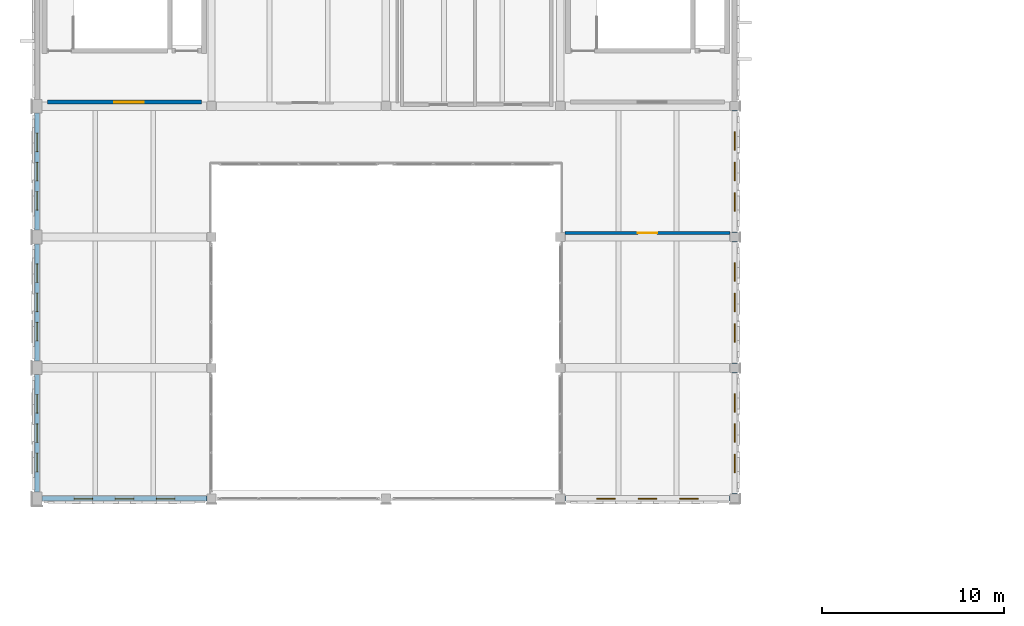
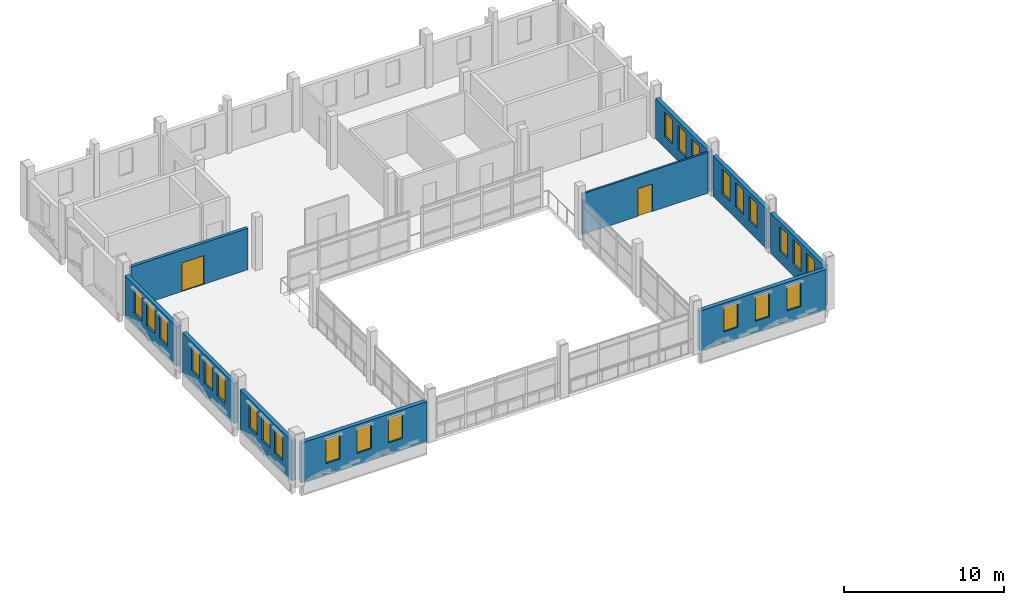
# One storey, part 16 of 24: 24 windows, 10 walls, 2 doors, 26 openings.
"""IFC4 building model written with IfcOpenShell, lengths in metres."""

import ifcopenshell
import ifcopenshell.guid

model = None  # the IFC model being written
_history = None  # IfcOwnerHistory: only IFC2X3 demands one
_inside = {}  # id of a spatial element -> (the spatial element, [elements in it])
_under = {}  # id of a project, library or spatial element -> (it, [spatial elements below it])
_declared = {}  # id of a project -> (the project, [libraries it declares])
_typed = {}  # id of a type object -> (the type object, [elements of that type])
_made_of = {}  # id of a material, layer set ... -> (it, [elements and type objects made of it])


def new_model(schema):
    """Start an empty IFC model of exactly this schema.

    Asked for "IFC4X3", IfcOpenShell would pick the latest addendum, in which some entities
    have other attributes; the version numbers below select the first issue.
    IFC2X3 requires an IfcOwnerHistory on every rooted entity: one is made here for all.
    """
    global model, _history
    if schema == "IFC4X3":
        model = ifcopenshell.file(schema_version=(4, 3, 0, 0))
    else:
        model = ifcopenshell.file(schema=schema)
    _inside.clear()
    _under.clear()
    _declared.clear()
    _typed.clear()
    _made_of.clear()
    _history = None
    if model.schema == "IFC2X3":
        org = make("IfcOrganization", Name="unknown")
        user = make(
            "IfcPersonAndOrganization",
            ThePerson=make("IfcPerson", FamilyName="unknown"),
            TheOrganization=org,
        )
        app = make(
            "IfcApplication",
            ApplicationDeveloper=org,
            Version="unknown",
            ApplicationFullName="unknown",
            ApplicationIdentifier="unknown",
        )
        _history = make(
            "IfcOwnerHistory",
            OwningUser=user,
            OwningApplication=app,
            ChangeAction="ADDED",
            CreationDate=0,
        )
    return model


def make(cls, **values):
    """One entity of the class cls with the attributes given. An attribute that is None is left unset."""
    return model.create_entity(
        cls, **{name: value for name, value in values.items() if value is not None}
    )


def rooted(cls, **values):
    """An entity with a GlobalId (a new one), such as an element, a storey or a relation."""
    return make(cls, GlobalId=ifcopenshell.guid.new(), OwnerHistory=_history, **values)


def si_unit(unit_type, name, prefix=None):
    """IfcSIUnit, for example si_unit("LENGTHUNIT", "METRE", prefix="MILLI")."""
    return make("IfcSIUnit", UnitType=unit_type, Prefix=prefix, Name=name)


def assignment(units):
    """IfcUnitAssignment: the units of a project."""
    return None if units is None else make("IfcUnitAssignment", Units=units)


def point(xyz):
    """IfcCartesianPoint."""
    return None if xyz is None else make("IfcCartesianPoint", Coordinates=xyz)


def direction(xyz):
    """IfcDirection."""
    return None if xyz is None else make("IfcDirection", DirectionRatios=xyz)


def frame(location, z_axis=None, x_axis=None):
    """IfcAxis2Placement3D, a coordinate frame: its origin and axes. An axis left out is left unset."""
    return make(
        "IfcAxis2Placement3D",
        Location=point(location),
        Axis=direction(z_axis),
        RefDirection=direction(x_axis),
    )


def frame_2d(location, x_axis=None):
    """IfcAxis2Placement2D, a coordinate frame in the plane: its origin and x axis."""
    return make(
        "IfcAxis2Placement2D", Location=point(location), RefDirection=direction(x_axis)
    )


def origin():
    """The frame at (0, 0, 0) with its axes left unset."""
    return frame((0.0, 0.0, 0.0))


def place(relative_to, where):
    """IfcLocalPlacement: puts the frame where relative to a parent placement (None: the world)."""
    return make(
        "IfcLocalPlacement", PlacementRelTo=relative_to, RelativePlacement=where
    )


def context(
    kind, dimensions, precision=None, world=None, true_north=None, identifier=None
):
    """IfcGeometricRepresentationContext, for example the 3D "Model" context."""
    return make(
        "IfcGeometricRepresentationContext",
        ContextIdentifier=identifier,
        ContextType=kind,
        CoordinateSpaceDimension=dimensions,
        Precision=precision,
        WorldCoordinateSystem=world,
        TrueNorth=true_north,
    )


def subcontext(parent, identifier, kind, view, scale=None):
    """IfcGeometricRepresentationSubContext, for example "Body" below "Model"."""
    return make(
        "IfcGeometricRepresentationSubContext",
        ContextIdentifier=identifier,
        ContextType=kind,
        ParentContext=parent,
        TargetScale=scale,
        TargetView=view,
    )


def project(units=None, contexts=None):
    """IfcProject with its units and contexts."""
    return rooted(
        "IfcProject",
        Name="project",
        RepresentationContexts=contexts,
        UnitsInContext=assignment(units),
    )


def spatial(cls, under=None, at=None, **own):
    """A site, building, storey or space (cls), placed at a placement, below another one or the project."""
    s = rooted(cls, ObjectPlacement=at, **own)
    if under is not None:
        _under.setdefault(under.id(), (under, []))[1].append(s)
    return s


def profile(cls, at=None, kind="AREA", **sizes):
    """A parametric profile (cls). Its sizes go by their IFC names, for example OverallWidth=200.0."""
    return make(cls, ProfileType=kind, Position=at, **sizes)


def rectangle(**sizes):
    """IfcRectangleProfileDef."""
    return profile("IfcRectangleProfileDef", **sizes)


def extrude(swept, where, along, depth):
    """IfcExtrudedAreaSolid: the profile swept, set in the frame where, extruded along a direction by depth."""
    return make(
        "IfcExtrudedAreaSolid",
        SweptArea=swept,
        Position=where,
        ExtrudedDirection=direction(along),
        Depth=depth,
    )


def shape(context_of_items, identifier, shape_type, items):
    """IfcShapeRepresentation: the items that make up one representation, for example the "Body"."""
    return make(
        "IfcShapeRepresentation",
        ContextOfItems=context_of_items,
        RepresentationIdentifier=identifier,
        RepresentationType=shape_type,
        Items=items,
    )


def material(Name=None, Category=None):
    """IfcMaterial."""
    return make("IfcMaterial", Name=Name, Category=Category)


def layer(
    of_material, thickness, ventilated=None, Name=None, Category=None, Priority=None
):
    """IfcMaterialLayer: one layer of a wall or slab, of a material (None: an air gap)."""
    return make(
        "IfcMaterialLayer",
        Material=of_material,
        LayerThickness=thickness,
        IsVentilated=ventilated,
        Name=Name,
        Category=Category,
        Priority=Priority,
    )


def layer_set(layers, Name=None):
    """IfcMaterialLayerSet."""
    return make("IfcMaterialLayerSet", MaterialLayers=layers, LayerSetName=Name)


def made_of(thing, what):
    """Note that an element or type object is made of a material, layer set ...; save() writes the relation."""
    if what is not None:
        _made_of.setdefault(what.id(), (what, []))[1].append(thing)
    return thing


def type_object(cls, material=None, **own):
    """A type object (cls), such as IfcWallType, which elements share."""
    return made_of(rooted(cls, **own), material)


def element(
    cls,
    number,
    at=None,
    inside=None,
    cuts=None,
    type_object=None,
    material=None,
    context=None,
    identifier="Body",
    shape_type=None,
    held_by="IfcProductDefinitionShape",
    body=None,
    shapes=None,
    **own,
):
    """One element of the class cls, such as IfcWall. Its Tag is "e" and its number.

    at: its placement. inside: the storey or other place that contains it. cuts: it is an
    opening in that element (IfcRelVoidsElement). A single representation is given by context,
    identifier, shape_type and body (its items); several are given by shapes. held_by: the class
    of the entity that holds the representations. save() writes the other relations.
    """
    e = rooted(cls, Tag="e%d" % number, ObjectPlacement=at, **own)
    if body is not None:
        shapes = [shape(context, identifier, shape_type, body)]
    if shapes is not None:
        e.Representation = make(held_by, Representations=shapes)
    if inside is not None:
        _inside.setdefault(inside.id(), (inside, []))[1].append(e)
    if cuts is not None:
        rooted(
            "IfcRelVoidsElement", RelatingBuildingElement=cuts, RelatedOpeningElement=e
        )
    if type_object is not None:
        _typed.setdefault(type_object.id(), (type_object, []))[1].append(e)
    return made_of(e, material)


def fill(opening, filler):
    """IfcRelFillsElement: the door or window that sits in an opening."""
    return rooted(
        "IfcRelFillsElement",
        RelatingOpeningElement=opening,
        RelatedBuildingElement=filler,
    )


def aggregate(whole, parts):
    """IfcRelAggregates: a whole, such as a stair, and the parts it consists of."""
    return rooted("IfcRelAggregates", RelatingObject=whole, RelatedObjects=parts)


def save(model, path):
    """Write the relations noted so far, then the file.

    IfcRelAggregates (storeys below a building ...), IfcRelContainedInSpatialStructure (elements
    in a storey), IfcRelDefinesByType, IfcRelAssociatesMaterial and IfcRelDeclares: one each for
    every whole, place, type object, material and project.
    """
    for whole, parts in _under.values():
        aggregate(whole, parts)
    for where, things in _inside.values():
        rooted(
            "IfcRelContainedInSpatialStructure",
            RelatedElements=things,
            RelatingStructure=where,
        )
    for kind, things in _typed.values():
        rooted("IfcRelDefinesByType", RelatedObjects=things, RelatingType=kind)
    for what, things in _made_of.values():
        rooted("IfcRelAssociatesMaterial", RelatedObjects=things, RelatingMaterial=what)
    for by, libraries in _declared.values():
        rooted("IfcRelDeclares", RelatingContext=by, RelatedDefinitions=libraries)
    model.write(path)


model = new_model("IFC4")

# Units and contexts
model_context = context("Model", 3, precision=1e-05, world=origin(), true_north=direction((0.0, 1.0)))
body_context = subcontext(model_context, "Body", "Model", "MODEL_VIEW")
ifc_project = project(units=[si_unit("LENGTHUNIT", "METRE"), si_unit("AREAUNIT", "SQUARE_METRE"), si_unit("VOLUMEUNIT", "CUBIC_METRE"), si_unit("PLANEANGLEUNIT", "RADIAN"), si_unit("MASSUNIT", "GRAM", prefix="KILO")], contexts=[model_context])

# Site, building, storey
site_placement = place(None, origin())
site = spatial("IfcSite", under=ifc_project, at=site_placement, CompositionType="ELEMENT")
building_placement = place(site_placement, origin())
building = spatial("IfcBuilding", under=site, at=building_placement, Name="Asteropetra Specialist Clinic", CompositionType="ELEMENT")
storey_placement = place(building_placement, frame((0.0, 0.0, 20.739990234375)))
storey = spatial("IfcBuildingStorey", under=building, at=storey_placement, Name="L05", CompositionType="ELEMENT", Elevation=20.739990234375)

# Wall, openings, windows
ifc_material_1 = material(Name="Chevron ivory", Category="masonry")
ifc_layer_1 = layer(ifc_material_1, 0.2900390625)
ifc_layer_set_1 = layer_set([ifc_layer_1], Name="Chevron ivory")
wall_type_1 = type_object("IfcWallType", Name="EW-CHEV-TER-290", PredefinedType="SOLIDWALL", material=ifc_layer_set_1)
wall_1_placement = place(storey_placement, frame((0.27490234375, 76.800048828125, 0.0), z_axis=(0.0, 0.0, 1.0), x_axis=(1.0, 0.0, 0.0)))
wall_1 = element("IfcWall", 1, at=wall_1_placement, inside=storey, type_object=wall_type_1, Name="Exterior Wall EW-0143", PredefinedType="SOLIDWALL", context=body_context, shape_type="SweptSolid", body=[
    extrude(rectangle(XDim=9.0751953125, YDim=0.2900390625, at=frame_2d((4.53759765625, 0.0))), origin(), (0.0, 0.0, 1.0), 3.070068359375),
])
opening_1_placement = place(wall_1_placement, frame((1.7587890625, 0.0, 0.8798828125)))
opening_1 = element("IfcOpeningElement", 2, at=opening_1_placement, cuts=wall_1, Name="Opening W-0087", PredefinedType="OPENING", context=body_context, shape_type="SweptSolid", body=[
    extrude(rectangle(XDim=1.02001953125, YDim=1.8798828125, at=frame_2d((0.510009765625, 0.93994140625))), frame((0.0, 0.155029296875, 0.0), z_axis=(0.0, -1.0, 0.0), x_axis=(1.0, 0.0, 0.0)), (0.0, 0.0, 1.0), 0.31005859375),
])
opening_2_placement = place(wall_1_placement, frame((4.027587890625, 0.0, 0.8798828125)))
opening_2 = element("IfcOpeningElement", 3, at=opening_2_placement, cuts=wall_1, Name="Opening W-0088", PredefinedType="OPENING", context=body_context, shape_type="SweptSolid", body=[
    extrude(rectangle(XDim=1.02001953125, YDim=1.8798828125, at=frame_2d((0.510009765625, 0.93994140625))), frame((0.0, 0.155029296875, 0.0), z_axis=(0.0, -1.0, 0.0), x_axis=(1.0, 0.0, 0.0)), (0.0, 0.0, 1.0), 0.31005859375),
])
opening_3_placement = place(wall_1_placement, frame((6.296142578125, 0.0, 0.8798828125)))
opening_3 = element("IfcOpeningElement", 4, at=opening_3_placement, cuts=wall_1, Name="Opening W-0089", PredefinedType="OPENING", context=body_context, shape_type="SweptSolid", body=[
    extrude(rectangle(XDim=1.02001953125, YDim=1.8798828125, at=frame_2d((0.510009765625, 0.93994140625))), frame((0.0, 0.155029296875, 0.0), z_axis=(0.0, -1.0, 0.0), x_axis=(1.0, 0.0, 0.0)), (0.0, 0.0, 1.0), 0.31005859375),
])
ifc_material_2 = material(Name="Thermally broken bronze aluminium and low-E glass", Category="aluminium")
window_type = type_object("IfcWindowType", Name="WIN-T31", PartitioningType="SINGLE_PANEL", PredefinedType="WINDOW", material=ifc_material_2)
window_1_placement = place(opening_1_placement, origin())
window_1 = element("IfcWindow", 5, at=window_1_placement, inside=storey, type_object=window_type, Name="Window W-0087", OverallHeight=1.8798828125, OverallWidth=1.02001953125, PartitioningType="SINGLE_PANEL", PredefinedType="WINDOW", context=body_context, shape_type="SweptSolid", body=[
    extrude(rectangle(XDim=1.02001953125, YDim=1.8798828125, at=frame_2d((0.510009765625, 0.93994140625))), frame((0.0, 0.030029296875, 0.0), z_axis=(0.0, -1.0, 0.0), x_axis=(1.0, 0.0, 0.0)), (0.0, 0.0, 1.0), 0.06005859375),
])
fill(opening_1, window_1)
window_2_placement = place(opening_2_placement, origin())
window_2 = element("IfcWindow", 6, at=window_2_placement, inside=storey, type_object=window_type, Name="Window W-0088", OverallHeight=1.8798828125, OverallWidth=1.02001953125, PartitioningType="SINGLE_PANEL", PredefinedType="WINDOW", context=body_context, shape_type="SweptSolid", body=[
    extrude(rectangle(XDim=1.02001953125, YDim=1.8798828125, at=frame_2d((0.510009765625, 0.93994140625))), frame((0.0, 0.030029296875, 0.0), z_axis=(0.0, -1.0, 0.0), x_axis=(1.0, 0.0, 0.0)), (0.0, 0.0, 1.0), 0.06005859375),
])
fill(opening_2, window_2)
window_3_placement = place(opening_3_placement, origin())
window_3 = element("IfcWindow", 7, at=window_3_placement, inside=storey, type_object=window_type, Name="Window W-0089", OverallHeight=1.8798828125, OverallWidth=1.02001953125, PartitioningType="SINGLE_PANEL", PredefinedType="WINDOW", context=body_context, shape_type="SweptSolid", body=[
    extrude(rectangle(XDim=1.02001953125, YDim=1.8798828125, at=frame_2d((0.510009765625, 0.93994140625))), frame((0.0, 0.030029296875, 0.0), z_axis=(0.0, -1.0, 0.0), x_axis=(1.0, 0.0, 0.0)), (0.0, 0.0, 1.0), 0.06005859375),
])
fill(opening_3, window_3)

wall_2_placement = place(storey_placement, frame((29.050048828125, 76.800048828125, 0.0), z_axis=(0.0, 0.0, 1.0), x_axis=(1.0, 0.0, 0.0)))
wall_2 = element("IfcWall", 8, at=wall_2_placement, inside=storey, type_object=wall_type_1, Name="Exterior Wall EW-0147", PredefinedType="SOLIDWALL", context=body_context, shape_type="SweptSolid", body=[
    extrude(rectangle(XDim=9.099853515625, YDim=0.2900390625, at=frame_2d((4.5498046875, 0.0))), origin(), (0.0, 0.0, 1.0), 3.070068359375),
])
opening_4_placement = place(wall_2_placement, frame((1.764892578125, 0.0, 0.8798828125)))
opening_4 = element("IfcOpeningElement", 9, at=opening_4_placement, cuts=wall_2, Name="Opening W-0097", PredefinedType="OPENING", context=body_context, shape_type="SweptSolid", body=[
    extrude(rectangle(XDim=1.02001953125, YDim=1.8798828125, at=frame_2d((0.510009765625, 0.93994140625))), frame((0.0, 0.155029296875, 0.0), z_axis=(0.0, -1.0, 0.0), x_axis=(1.0, 0.0, 0.0)), (0.0, 0.0, 1.0), 0.31005859375),
])
opening_5_placement = place(wall_2_placement, frame((4.0400390625, 0.0, 0.8798828125)))
opening_5 = element("IfcOpeningElement", 10, at=opening_5_placement, cuts=wall_2, Name="Opening W-0098", PredefinedType="OPENING", context=body_context, shape_type="SweptSolid", body=[
    extrude(rectangle(XDim=1.02001953125, YDim=1.8798828125, at=frame_2d((0.510009765625, 0.93994140625))), frame((0.0, 0.155029296875, 0.0), z_axis=(0.0, -1.0, 0.0), x_axis=(1.0, 0.0, 0.0)), (0.0, 0.0, 1.0), 0.31005859375),
])
opening_6_placement = place(wall_2_placement, frame((6.31494140625, 0.0, 0.8798828125)))
opening_6 = element("IfcOpeningElement", 11, at=opening_6_placement, cuts=wall_2, Name="Opening W-0099", PredefinedType="OPENING", context=body_context, shape_type="SweptSolid", body=[
    extrude(rectangle(XDim=1.02001953125, YDim=1.8798828125, at=frame_2d((0.510009765625, 0.93994140625))), frame((0.0, 0.155029296875, 0.0), z_axis=(0.0, -1.0, 0.0), x_axis=(1.0, 0.0, 0.0)), (0.0, 0.0, 1.0), 0.31005859375),
])
window_4_placement = place(opening_4_placement, origin())
window_4 = element("IfcWindow", 12, at=window_4_placement, inside=storey, type_object=window_type, Name="Window W-0097", OverallHeight=1.8798828125, OverallWidth=1.02001953125, PartitioningType="SINGLE_PANEL", PredefinedType="WINDOW", context=body_context, shape_type="SweptSolid", body=[
    extrude(rectangle(XDim=1.02001953125, YDim=1.8798828125, at=frame_2d((0.510009765625, 0.93994140625))), frame((0.0, 0.030029296875, 0.0), z_axis=(0.0, -1.0, 0.0), x_axis=(1.0, 0.0, 0.0)), (0.0, 0.0, 1.0), 0.06005859375),
])
fill(opening_4, window_4)
window_5_placement = place(opening_5_placement, origin())
window_5 = element("IfcWindow", 13, at=window_5_placement, inside=storey, type_object=window_type, Name="Window W-0098", OverallHeight=1.8798828125, OverallWidth=1.02001953125, PartitioningType="SINGLE_PANEL", PredefinedType="WINDOW", context=body_context, shape_type="SweptSolid", body=[
    extrude(rectangle(XDim=1.02001953125, YDim=1.8798828125, at=frame_2d((0.510009765625, 0.93994140625))), frame((0.0, 0.030029296875, 0.0), z_axis=(0.0, -1.0, 0.0), x_axis=(1.0, 0.0, 0.0)), (0.0, 0.0, 1.0), 0.06005859375),
])
fill(opening_5, window_5)
window_6_placement = place(opening_6_placement, origin())
window_6 = element("IfcWindow", 14, at=window_6_placement, inside=storey, type_object=window_type, Name="Window W-0099", OverallHeight=1.8798828125, OverallWidth=1.02001953125, PartitioningType="SINGLE_PANEL", PredefinedType="WINDOW", context=body_context, shape_type="SweptSolid", body=[
    extrude(rectangle(XDim=1.02001953125, YDim=1.8798828125, at=frame_2d((0.510009765625, 0.93994140625))), frame((0.0, 0.030029296875, 0.0), z_axis=(0.0, -1.0, 0.0), x_axis=(1.0, 0.0, 0.0)), (0.0, 0.0, 1.0), 0.06005859375),
])
fill(opening_6, window_6)

wall_3_placement = place(storey_placement, frame((0.0, 83.625, 0.0), z_axis=(0.0, 0.0, 1.0), x_axis=(0.0, -1.0, 0.0)))
wall_3 = element("IfcWall", 15, at=wall_3_placement, inside=storey, type_object=wall_type_1, Name="Exterior Wall EW-0149", PredefinedType="SOLIDWALL", context=body_context, shape_type="SweptSolid", body=[
    extrude(rectangle(XDim=6.449951171875, YDim=0.2900390625, at=frame_2d((3.22509765625, 0.0))), origin(), (0.0, 0.0, 1.0), 3.070068359375),
])
opening_7_placement = place(wall_3_placement, frame((1.1025390625, 0.0, 0.8798828125)))
opening_7 = element("IfcOpeningElement", 16, at=opening_7_placement, cuts=wall_3, Name="Opening W-0102", PredefinedType="OPENING", context=body_context, shape_type="SweptSolid", body=[
    extrude(rectangle(XDim=1.02001953125, YDim=1.8798828125, at=frame_2d((0.510009765625, 0.93994140625))), frame((0.0, 0.155029296875, 0.0), z_axis=(0.0, -1.0, 0.0), x_axis=(1.0, 0.0, 0.0)), (0.0, 0.0, 1.0), 0.31005859375),
])
opening_8_placement = place(wall_3_placement, frame((2.715087890625, 0.0, 0.8798828125)))
opening_8 = element("IfcOpeningElement", 17, at=opening_8_placement, cuts=wall_3, Name="Opening W-0103", PredefinedType="OPENING", context=body_context, shape_type="SweptSolid", body=[
    extrude(rectangle(XDim=1.02001953125, YDim=1.8798828125, at=frame_2d((0.510009765625, 0.93994140625))), frame((0.0, 0.155029296875, 0.0), z_axis=(0.0, -1.0, 0.0), x_axis=(1.0, 0.0, 0.0)), (0.0, 0.0, 1.0), 0.31005859375),
])
opening_9_placement = place(wall_3_placement, frame((4.327392578125, 0.0, 0.8798828125)))
opening_9 = element("IfcOpeningElement", 18, at=opening_9_placement, cuts=wall_3, Name="Opening W-0104", PredefinedType="OPENING", context=body_context, shape_type="SweptSolid", body=[
    extrude(rectangle(XDim=1.02001953125, YDim=1.8798828125, at=frame_2d((0.510009765625, 0.93994140625))), frame((0.0, 0.155029296875, 0.0), z_axis=(0.0, -1.0, 0.0), x_axis=(1.0, 0.0, 0.0)), (0.0, 0.0, 1.0), 0.31005859375),
])
window_7_placement = place(opening_7_placement, origin())
window_7 = element("IfcWindow", 19, at=window_7_placement, inside=storey, type_object=window_type, Name="Window W-0102", OverallHeight=1.8798828125, OverallWidth=1.02001953125, PartitioningType="SINGLE_PANEL", PredefinedType="WINDOW", context=body_context, shape_type="SweptSolid", body=[
    extrude(rectangle(XDim=1.02001953125, YDim=1.8798828125, at=frame_2d((0.510009765625, 0.93994140625))), frame((0.0, 0.030029296875, 0.0), z_axis=(0.0, -1.0, 0.0), x_axis=(1.0, 0.0, 0.0)), (0.0, 0.0, 1.0), 0.06005859375),
])
fill(opening_7, window_7)
window_8_placement = place(opening_8_placement, origin())
window_8 = element("IfcWindow", 20, at=window_8_placement, inside=storey, type_object=window_type, Name="Window W-0103", OverallHeight=1.8798828125, OverallWidth=1.02001953125, PartitioningType="SINGLE_PANEL", PredefinedType="WINDOW", context=body_context, shape_type="SweptSolid", body=[
    extrude(rectangle(XDim=1.02001953125, YDim=1.8798828125, at=frame_2d((0.510009765625, 0.93994140625))), frame((0.0, 0.030029296875, 0.0), z_axis=(0.0, -1.0, 0.0), x_axis=(1.0, 0.0, 0.0)), (0.0, 0.0, 1.0), 0.06005859375),
])
fill(opening_8, window_8)
window_9_placement = place(opening_9_placement, origin())
window_9 = element("IfcWindow", 21, at=window_9_placement, inside=storey, type_object=window_type, Name="Window W-0104", OverallHeight=1.8798828125, OverallWidth=1.02001953125, PartitioningType="SINGLE_PANEL", PredefinedType="WINDOW", context=body_context, shape_type="SweptSolid", body=[
    extrude(rectangle(XDim=1.02001953125, YDim=1.8798828125, at=frame_2d((0.510009765625, 0.93994140625))), frame((0.0, 0.030029296875, 0.0), z_axis=(0.0, -1.0, 0.0), x_axis=(1.0, 0.0, 0.0)), (0.0, 0.0, 1.0), 0.06005859375),
])
fill(opening_9, window_9)

wall_4_placement = place(storey_placement, frame((38.39990234375, 77.050048828125, 0.0), z_axis=(0.0, 0.0, 1.0), x_axis=(0.0, 1.0, 0.0)))
wall_4 = element("IfcWall", 22, at=wall_4_placement, inside=storey, type_object=wall_type_1, Name="Exterior Wall EW-0150", PredefinedType="SOLIDWALL", context=body_context, shape_type="SweptSolid", body=[
    extrude(rectangle(XDim=6.699951171875, YDim=0.2900390625, at=frame_2d((3.35009765625, 0.0))), origin(), (0.0, 0.0, 1.0), 3.070068359375),
])
opening_10_placement = place(wall_4_placement, frame((1.1650390625, 0.0, 0.8798828125)))
opening_10 = element("IfcOpeningElement", 23, at=opening_10_placement, cuts=wall_4, Name="Opening W-0105", PredefinedType="OPENING", context=body_context, shape_type="SweptSolid", body=[
    extrude(rectangle(XDim=1.02001953125, YDim=1.8798828125, at=frame_2d((0.510009765625, 0.93994140625))), frame((0.0, 0.155029296875, 0.0), z_axis=(0.0, -1.0, 0.0), x_axis=(1.0, 0.0, 0.0)), (0.0, 0.0, 1.0), 0.31005859375),
])
opening_11_placement = place(wall_4_placement, frame((2.840087890625, 0.0, 0.8798828125)))
opening_11 = element("IfcOpeningElement", 24, at=opening_11_placement, cuts=wall_4, Name="Opening W-0106", PredefinedType="OPENING", context=body_context, shape_type="SweptSolid", body=[
    extrude(rectangle(XDim=1.02001953125, YDim=1.8798828125, at=frame_2d((0.510009765625, 0.93994140625))), frame((0.0, 0.155029296875, 0.0), z_axis=(0.0, -1.0, 0.0), x_axis=(1.0, 0.0, 0.0)), (0.0, 0.0, 1.0), 0.31005859375),
])
opening_12_placement = place(wall_4_placement, frame((4.514892578125, 0.0, 0.8798828125)))
opening_12 = element("IfcOpeningElement", 25, at=opening_12_placement, cuts=wall_4, Name="Opening W-0107", PredefinedType="OPENING", context=body_context, shape_type="SweptSolid", body=[
    extrude(rectangle(XDim=1.02001953125, YDim=1.8798828125, at=frame_2d((0.510009765625, 0.93994140625))), frame((0.0, 0.155029296875, 0.0), z_axis=(0.0, -1.0, 0.0), x_axis=(1.0, 0.0, 0.0)), (0.0, 0.0, 1.0), 0.31005859375),
])
window_10_placement = place(opening_10_placement, origin())
window_10 = element("IfcWindow", 26, at=window_10_placement, inside=storey, type_object=window_type, Name="Window W-0105", OverallHeight=1.8798828125, OverallWidth=1.02001953125, PartitioningType="SINGLE_PANEL", PredefinedType="WINDOW", context=body_context, shape_type="SweptSolid", body=[
    extrude(rectangle(XDim=1.02001953125, YDim=1.8798828125, at=frame_2d((0.510009765625, 0.93994140625))), frame((0.0, 0.030029296875, 0.0), z_axis=(0.0, -1.0, 0.0), x_axis=(1.0, 0.0, 0.0)), (0.0, 0.0, 1.0), 0.06005859375),
])
fill(opening_10, window_10)
window_11_placement = place(opening_11_placement, origin())
window_11 = element("IfcWindow", 27, at=window_11_placement, inside=storey, type_object=window_type, Name="Window W-0106", OverallHeight=1.8798828125, OverallWidth=1.02001953125, PartitioningType="SINGLE_PANEL", PredefinedType="WINDOW", context=body_context, shape_type="SweptSolid", body=[
    extrude(rectangle(XDim=1.02001953125, YDim=1.8798828125, at=frame_2d((0.510009765625, 0.93994140625))), frame((0.0, 0.030029296875, 0.0), z_axis=(0.0, -1.0, 0.0), x_axis=(1.0, 0.0, 0.0)), (0.0, 0.0, 1.0), 0.06005859375),
])
fill(opening_11, window_11)
window_12_placement = place(opening_12_placement, origin())
window_12 = element("IfcWindow", 28, at=window_12_placement, inside=storey, type_object=window_type, Name="Window W-0107", OverallHeight=1.8798828125, OverallWidth=1.02001953125, PartitioningType="SINGLE_PANEL", PredefinedType="WINDOW", context=body_context, shape_type="SweptSolid", body=[
    extrude(rectangle(XDim=1.02001953125, YDim=1.8798828125, at=frame_2d((0.510009765625, 0.93994140625))), frame((0.0, 0.030029296875, 0.0), z_axis=(0.0, -1.0, 0.0), x_axis=(1.0, 0.0, 0.0)), (0.0, 0.0, 1.0), 0.06005859375),
])
fill(opening_12, window_12)

wall_5_placement = place(storey_placement, frame((0.0, 90.824951171875, 0.0), z_axis=(0.0, 0.0, 1.0), x_axis=(0.0, -1.0, 0.0)))
wall_5 = element("IfcWall", 29, at=wall_5_placement, inside=storey, type_object=wall_type_1, Name="Exterior Wall EW-0151", PredefinedType="SOLIDWALL", context=body_context, shape_type="SweptSolid", body=[
    extrude(rectangle(XDim=6.449951171875, YDim=0.2900390625, at=frame_2d((3.22509765625, 0.0))), origin(), (0.0, 0.0, 1.0), 3.070068359375),
])
opening_13_placement = place(wall_5_placement, frame((1.1025390625, 0.0, 0.8798828125)))
opening_13 = element("IfcOpeningElement", 30, at=opening_13_placement, cuts=wall_5, Name="Opening W-0108", PredefinedType="OPENING", context=body_context, shape_type="SweptSolid", body=[
    extrude(rectangle(XDim=1.02001953125, YDim=1.8798828125, at=frame_2d((0.510009765625, 0.93994140625))), frame((0.0, 0.155029296875, 0.0), z_axis=(0.0, -1.0, 0.0), x_axis=(1.0, 0.0, 0.0)), (0.0, 0.0, 1.0), 0.31005859375),
])
opening_14_placement = place(wall_5_placement, frame((2.715087890625, 0.0, 0.8798828125)))
opening_14 = element("IfcOpeningElement", 31, at=opening_14_placement, cuts=wall_5, Name="Opening W-0109", PredefinedType="OPENING", context=body_context, shape_type="SweptSolid", body=[
    extrude(rectangle(XDim=1.02001953125, YDim=1.8798828125, at=frame_2d((0.510009765625, 0.93994140625))), frame((0.0, 0.155029296875, 0.0), z_axis=(0.0, -1.0, 0.0), x_axis=(1.0, 0.0, 0.0)), (0.0, 0.0, 1.0), 0.31005859375),
])
opening_15_placement = place(wall_5_placement, frame((4.327392578125, 0.0, 0.8798828125)))
opening_15 = element("IfcOpeningElement", 32, at=opening_15_placement, cuts=wall_5, Name="Opening W-0110", PredefinedType="OPENING", context=body_context, shape_type="SweptSolid", body=[
    extrude(rectangle(XDim=1.02001953125, YDim=1.8798828125, at=frame_2d((0.510009765625, 0.93994140625))), frame((0.0, 0.155029296875, 0.0), z_axis=(0.0, -1.0, 0.0), x_axis=(1.0, 0.0, 0.0)), (0.0, 0.0, 1.0), 0.31005859375),
])
window_13_placement = place(opening_13_placement, origin())
window_13 = element("IfcWindow", 33, at=window_13_placement, inside=storey, type_object=window_type, Name="Window W-0108", OverallHeight=1.8798828125, OverallWidth=1.02001953125, PartitioningType="SINGLE_PANEL", PredefinedType="WINDOW", context=body_context, shape_type="SweptSolid", body=[
    extrude(rectangle(XDim=1.02001953125, YDim=1.8798828125, at=frame_2d((0.510009765625, 0.93994140625))), frame((0.0, 0.030029296875, 0.0), z_axis=(0.0, -1.0, 0.0), x_axis=(1.0, 0.0, 0.0)), (0.0, 0.0, 1.0), 0.06005859375),
])
fill(opening_13, window_13)
window_14_placement = place(opening_14_placement, origin())
window_14 = element("IfcWindow", 34, at=window_14_placement, inside=storey, type_object=window_type, Name="Window W-0109", OverallHeight=1.8798828125, OverallWidth=1.02001953125, PartitioningType="SINGLE_PANEL", PredefinedType="WINDOW", context=body_context, shape_type="SweptSolid", body=[
    extrude(rectangle(XDim=1.02001953125, YDim=1.8798828125, at=frame_2d((0.510009765625, 0.93994140625))), frame((0.0, 0.030029296875, 0.0), z_axis=(0.0, -1.0, 0.0), x_axis=(1.0, 0.0, 0.0)), (0.0, 0.0, 1.0), 0.06005859375),
])
fill(opening_14, window_14)
window_15_placement = place(opening_15_placement, origin())
window_15 = element("IfcWindow", 35, at=window_15_placement, inside=storey, type_object=window_type, Name="Window W-0110", OverallHeight=1.8798828125, OverallWidth=1.02001953125, PartitioningType="SINGLE_PANEL", PredefinedType="WINDOW", context=body_context, shape_type="SweptSolid", body=[
    extrude(rectangle(XDim=1.02001953125, YDim=1.8798828125, at=frame_2d((0.510009765625, 0.93994140625))), frame((0.0, 0.030029296875, 0.0), z_axis=(0.0, -1.0, 0.0), x_axis=(1.0, 0.0, 0.0)), (0.0, 0.0, 1.0), 0.06005859375),
])
fill(opening_15, window_15)

wall_6_placement = place(storey_placement, frame((38.39990234375, 84.25, 0.0), z_axis=(0.0, 0.0, 1.0), x_axis=(0.0, 1.0, 0.0)))
wall_6 = element("IfcWall", 36, at=wall_6_placement, inside=storey, type_object=wall_type_1, Name="Exterior Wall EW-0152", PredefinedType="SOLIDWALL", context=body_context, shape_type="SweptSolid", body=[
    extrude(rectangle(XDim=6.699951171875, YDim=0.2900390625, at=frame_2d((3.35009765625, 0.0))), origin(), (0.0, 0.0, 1.0), 3.070068359375),
])
opening_16_placement = place(wall_6_placement, frame((1.1650390625, 0.0, 0.8798828125)))
opening_16 = element("IfcOpeningElement", 37, at=opening_16_placement, cuts=wall_6, Name="Opening W-0111", PredefinedType="OPENING", context=body_context, shape_type="SweptSolid", body=[
    extrude(rectangle(XDim=1.02001953125, YDim=1.8798828125, at=frame_2d((0.510009765625, 0.93994140625))), frame((0.0, 0.155029296875, 0.0), z_axis=(0.0, -1.0, 0.0), x_axis=(1.0, 0.0, 0.0)), (0.0, 0.0, 1.0), 0.31005859375),
])
opening_17_placement = place(wall_6_placement, frame((2.840087890625, 0.0, 0.8798828125)))
opening_17 = element("IfcOpeningElement", 38, at=opening_17_placement, cuts=wall_6, Name="Opening W-0112", PredefinedType="OPENING", context=body_context, shape_type="SweptSolid", body=[
    extrude(rectangle(XDim=1.02001953125, YDim=1.8798828125, at=frame_2d((0.510009765625, 0.93994140625))), frame((0.0, 0.155029296875, 0.0), z_axis=(0.0, -1.0, 0.0), x_axis=(1.0, 0.0, 0.0)), (0.0, 0.0, 1.0), 0.31005859375),
])
opening_18_placement = place(wall_6_placement, frame((4.514892578125, 0.0, 0.8798828125)))
opening_18 = element("IfcOpeningElement", 39, at=opening_18_placement, cuts=wall_6, Name="Opening W-0113", PredefinedType="OPENING", context=body_context, shape_type="SweptSolid", body=[
    extrude(rectangle(XDim=1.02001953125, YDim=1.8798828125, at=frame_2d((0.510009765625, 0.93994140625))), frame((0.0, 0.155029296875, 0.0), z_axis=(0.0, -1.0, 0.0), x_axis=(1.0, 0.0, 0.0)), (0.0, 0.0, 1.0), 0.31005859375),
])
window_16_placement = place(opening_16_placement, origin())
window_16 = element("IfcWindow", 40, at=window_16_placement, inside=storey, type_object=window_type, Name="Window W-0111", OverallHeight=1.8798828125, OverallWidth=1.02001953125, PartitioningType="SINGLE_PANEL", PredefinedType="WINDOW", context=body_context, shape_type="SweptSolid", body=[
    extrude(rectangle(XDim=1.02001953125, YDim=1.8798828125, at=frame_2d((0.510009765625, 0.93994140625))), frame((0.0, 0.030029296875, 0.0), z_axis=(0.0, -1.0, 0.0), x_axis=(1.0, 0.0, 0.0)), (0.0, 0.0, 1.0), 0.06005859375),
])
fill(opening_16, window_16)
window_17_placement = place(opening_17_placement, origin())
window_17 = element("IfcWindow", 41, at=window_17_placement, inside=storey, type_object=window_type, Name="Window W-0112", OverallHeight=1.8798828125, OverallWidth=1.02001953125, PartitioningType="SINGLE_PANEL", PredefinedType="WINDOW", context=body_context, shape_type="SweptSolid", body=[
    extrude(rectangle(XDim=1.02001953125, YDim=1.8798828125, at=frame_2d((0.510009765625, 0.93994140625))), frame((0.0, 0.030029296875, 0.0), z_axis=(0.0, -1.0, 0.0), x_axis=(1.0, 0.0, 0.0)), (0.0, 0.0, 1.0), 0.06005859375),
])
fill(opening_17, window_17)
window_18_placement = place(opening_18_placement, origin())
window_18 = element("IfcWindow", 42, at=window_18_placement, inside=storey, type_object=window_type, Name="Window W-0113", OverallHeight=1.8798828125, OverallWidth=1.02001953125, PartitioningType="SINGLE_PANEL", PredefinedType="WINDOW", context=body_context, shape_type="SweptSolid", body=[
    extrude(rectangle(XDim=1.02001953125, YDim=1.8798828125, at=frame_2d((0.510009765625, 0.93994140625))), frame((0.0, 0.030029296875, 0.0), z_axis=(0.0, -1.0, 0.0), x_axis=(1.0, 0.0, 0.0)), (0.0, 0.0, 1.0), 0.06005859375),
])
fill(opening_18, window_18)

wall_7_placement = place(storey_placement, frame((0.0, 98.02490234375, 0.0), z_axis=(0.0, 0.0, 1.0), x_axis=(0.0, -1.0, 0.0)))
wall_7 = element("IfcWall", 43, at=wall_7_placement, inside=storey, type_object=wall_type_1, Name="Exterior Wall EW-0153", PredefinedType="SOLIDWALL", context=body_context, shape_type="SweptSolid", body=[
    extrude(rectangle(XDim=6.449951171875, YDim=0.2900390625, at=frame_2d((3.22509765625, 0.0))), origin(), (0.0, 0.0, 1.0), 3.070068359375),
])
opening_19_placement = place(wall_7_placement, frame((1.1025390625, 0.0, 0.8798828125)))
opening_19 = element("IfcOpeningElement", 44, at=opening_19_placement, cuts=wall_7, Name="Opening W-0114", PredefinedType="OPENING", context=body_context, shape_type="SweptSolid", body=[
    extrude(rectangle(XDim=1.02001953125, YDim=1.8798828125, at=frame_2d((0.510009765625, 0.93994140625))), frame((0.0, 0.155029296875, 0.0), z_axis=(0.0, -1.0, 0.0), x_axis=(1.0, 0.0, 0.0)), (0.0, 0.0, 1.0), 0.31005859375),
])
opening_20_placement = place(wall_7_placement, frame((2.715087890625, 0.0, 0.8798828125)))
opening_20 = element("IfcOpeningElement", 45, at=opening_20_placement, cuts=wall_7, Name="Opening W-0115", PredefinedType="OPENING", context=body_context, shape_type="SweptSolid", body=[
    extrude(rectangle(XDim=1.02001953125, YDim=1.8798828125, at=frame_2d((0.510009765625, 0.93994140625))), frame((0.0, 0.155029296875, 0.0), z_axis=(0.0, -1.0, 0.0), x_axis=(1.0, 0.0, 0.0)), (0.0, 0.0, 1.0), 0.31005859375),
])
opening_21_placement = place(wall_7_placement, frame((4.327392578125, 0.0, 0.8798828125)))
opening_21 = element("IfcOpeningElement", 46, at=opening_21_placement, cuts=wall_7, Name="Opening W-0116", PredefinedType="OPENING", context=body_context, shape_type="SweptSolid", body=[
    extrude(rectangle(XDim=1.02001953125, YDim=1.8798828125, at=frame_2d((0.510009765625, 0.93994140625))), frame((0.0, 0.155029296875, 0.0), z_axis=(0.0, -1.0, 0.0), x_axis=(1.0, 0.0, 0.0)), (0.0, 0.0, 1.0), 0.31005859375),
])
window_19_placement = place(opening_19_placement, origin())
window_19 = element("IfcWindow", 47, at=window_19_placement, inside=storey, type_object=window_type, Name="Window W-0114", OverallHeight=1.8798828125, OverallWidth=1.02001953125, PartitioningType="SINGLE_PANEL", PredefinedType="WINDOW", context=body_context, shape_type="SweptSolid", body=[
    extrude(rectangle(XDim=1.02001953125, YDim=1.8798828125, at=frame_2d((0.510009765625, 0.93994140625))), frame((0.0, 0.030029296875, 0.0), z_axis=(0.0, -1.0, 0.0), x_axis=(1.0, 0.0, 0.0)), (0.0, 0.0, 1.0), 0.06005859375),
])
fill(opening_19, window_19)
window_20_placement = place(opening_20_placement, origin())
window_20 = element("IfcWindow", 48, at=window_20_placement, inside=storey, type_object=window_type, Name="Window W-0115", OverallHeight=1.8798828125, OverallWidth=1.02001953125, PartitioningType="SINGLE_PANEL", PredefinedType="WINDOW", context=body_context, shape_type="SweptSolid", body=[
    extrude(rectangle(XDim=1.02001953125, YDim=1.8798828125, at=frame_2d((0.510009765625, 0.93994140625))), frame((0.0, 0.030029296875, 0.0), z_axis=(0.0, -1.0, 0.0), x_axis=(1.0, 0.0, 0.0)), (0.0, 0.0, 1.0), 0.06005859375),
])
fill(opening_20, window_20)
window_21_placement = place(opening_21_placement, origin())
window_21 = element("IfcWindow", 49, at=window_21_placement, inside=storey, type_object=window_type, Name="Window W-0116", OverallHeight=1.8798828125, OverallWidth=1.02001953125, PartitioningType="SINGLE_PANEL", PredefinedType="WINDOW", context=body_context, shape_type="SweptSolid", body=[
    extrude(rectangle(XDim=1.02001953125, YDim=1.8798828125, at=frame_2d((0.510009765625, 0.93994140625))), frame((0.0, 0.030029296875, 0.0), z_axis=(0.0, -1.0, 0.0), x_axis=(1.0, 0.0, 0.0)), (0.0, 0.0, 1.0), 0.06005859375),
])
fill(opening_21, window_21)

wall_8_placement = place(storey_placement, frame((38.39990234375, 91.449951171875, 0.0), z_axis=(0.0, 0.0, 1.0), x_axis=(0.0, 1.0, 0.0)))
wall_8 = element("IfcWall", 50, at=wall_8_placement, inside=storey, type_object=wall_type_1, Name="Exterior Wall EW-0154", PredefinedType="SOLIDWALL", context=body_context, shape_type="SweptSolid", body=[
    extrude(rectangle(XDim=6.699951171875, YDim=0.2900390625, at=frame_2d((3.35009765625, 0.0))), origin(), (0.0, 0.0, 1.0), 3.070068359375),
])
opening_22_placement = place(wall_8_placement, frame((1.1650390625, 0.0, 0.8798828125)))
opening_22 = element("IfcOpeningElement", 51, at=opening_22_placement, cuts=wall_8, Name="Opening W-0117", PredefinedType="OPENING", context=body_context, shape_type="SweptSolid", body=[
    extrude(rectangle(XDim=1.02001953125, YDim=1.8798828125, at=frame_2d((0.510009765625, 0.93994140625))), frame((0.0, 0.155029296875, 0.0), z_axis=(0.0, -1.0, 0.0), x_axis=(1.0, 0.0, 0.0)), (0.0, 0.0, 1.0), 0.31005859375),
])
opening_23_placement = place(wall_8_placement, frame((2.840087890625, 0.0, 0.8798828125)))
opening_23 = element("IfcOpeningElement", 52, at=opening_23_placement, cuts=wall_8, Name="Opening W-0118", PredefinedType="OPENING", context=body_context, shape_type="SweptSolid", body=[
    extrude(rectangle(XDim=1.02001953125, YDim=1.8798828125, at=frame_2d((0.510009765625, 0.93994140625))), frame((0.0, 0.155029296875, 0.0), z_axis=(0.0, -1.0, 0.0), x_axis=(1.0, 0.0, 0.0)), (0.0, 0.0, 1.0), 0.31005859375),
])
opening_24_placement = place(wall_8_placement, frame((4.514892578125, 0.0, 0.8798828125)))
opening_24 = element("IfcOpeningElement", 53, at=opening_24_placement, cuts=wall_8, Name="Opening W-0119", PredefinedType="OPENING", context=body_context, shape_type="SweptSolid", body=[
    extrude(rectangle(XDim=1.02001953125, YDim=1.8798828125, at=frame_2d((0.510009765625, 0.93994140625))), frame((0.0, 0.155029296875, 0.0), z_axis=(0.0, -1.0, 0.0), x_axis=(1.0, 0.0, 0.0)), (0.0, 0.0, 1.0), 0.31005859375),
])
window_22_placement = place(opening_22_placement, origin())
window_22 = element("IfcWindow", 54, at=window_22_placement, inside=storey, type_object=window_type, Name="Window W-0117", OverallHeight=1.8798828125, OverallWidth=1.02001953125, PartitioningType="SINGLE_PANEL", PredefinedType="WINDOW", context=body_context, shape_type="SweptSolid", body=[
    extrude(rectangle(XDim=1.02001953125, YDim=1.8798828125, at=frame_2d((0.510009765625, 0.93994140625))), frame((0.0, 0.030029296875, 0.0), z_axis=(0.0, -1.0, 0.0), x_axis=(1.0, 0.0, 0.0)), (0.0, 0.0, 1.0), 0.06005859375),
])
fill(opening_22, window_22)
window_23_placement = place(opening_23_placement, origin())
window_23 = element("IfcWindow", 55, at=window_23_placement, inside=storey, type_object=window_type, Name="Window W-0118", OverallHeight=1.8798828125, OverallWidth=1.02001953125, PartitioningType="SINGLE_PANEL", PredefinedType="WINDOW", context=body_context, shape_type="SweptSolid", body=[
    extrude(rectangle(XDim=1.02001953125, YDim=1.8798828125, at=frame_2d((0.510009765625, 0.93994140625))), frame((0.0, 0.030029296875, 0.0), z_axis=(0.0, -1.0, 0.0), x_axis=(1.0, 0.0, 0.0)), (0.0, 0.0, 1.0), 0.06005859375),
])
fill(opening_23, window_23)
window_24_placement = place(opening_24_placement, origin())
window_24 = element("IfcWindow", 56, at=window_24_placement, inside=storey, type_object=window_type, Name="Window W-0119", OverallHeight=1.8798828125, OverallWidth=1.02001953125, PartitioningType="SINGLE_PANEL", PredefinedType="WINDOW", context=body_context, shape_type="SweptSolid", body=[
    extrude(rectangle(XDim=1.02001953125, YDim=1.8798828125, at=frame_2d((0.510009765625, 0.93994140625))), frame((0.0, 0.030029296875, 0.0), z_axis=(0.0, -1.0, 0.0), x_axis=(1.0, 0.0, 0.0)), (0.0, 0.0, 1.0), 0.06005859375),
])
fill(opening_24, window_24)

# Wall, opening, door
ifc_material_3 = material(Name="Fire-rated masonry and gypsum", Category="masonry")
ifc_layer_2 = layer(ifc_material_3, 0.219970703125)
ifc_layer_set_2 = layer_set([ifc_layer_2], Name="Fire-rated masonry and gypsum")
wall_type_2 = type_object("IfcWallType", Name="W-COMP-220", PredefinedType="PARTITIONING", material=ifc_layer_set_2)
wall_9_placement = place(storey_placement, frame((0.56005859375, 98.6201171875, 0.0), z_axis=(0.0, 0.0, 1.0), x_axis=(1.0, 0.0, 0.0)))
wall_9 = element("IfcWall", 57, at=wall_9_placement, inside=storey, type_object=wall_type_2, Name="Core Wall CW-C1-L05-LOB", PredefinedType="PARTITIONING", context=body_context, shape_type="SweptSolid", body=[
    extrude(rectangle(XDim=8.47998046875, YDim=0.219970703125, at=frame_2d((4.239990234375, 0.0))), origin(), (0.0, 0.0, 1.0), 3.169921875),
])
opening_25_placement = place(wall_9_placement, frame((3.699951171875, 0.0, 0.0)))
opening_25 = element("IfcOpeningElement", 58, at=opening_25_placement, cuts=wall_9, Name="Opening FD-012", PredefinedType="OPENING", context=body_context, shape_type="SweptSolid", body=[
    extrude(rectangle(XDim=1.60009765625, YDim=2.199951171875, at=frame_2d((0.800048828125, 1.10009765625))), frame((0.0, 0.119873046875, 0.0), z_axis=(0.0, -1.0, 0.0), x_axis=(1.0, 0.0, 0.0)), (0.0, 0.0, 1.0), 0.239990234375),
])
ifc_material_4 = material(Name="Fire-rated steel and vision glass door", Category="steel")
door_type_1 = type_object("IfcDoorType", Name="FD-LOBBY-1600", OperationType="DOUBLE_DOOR_SINGLE_SWING", PredefinedType="DOOR", material=ifc_material_4)
door_1_placement = place(opening_25_placement, origin())
door_1 = element("IfcDoor", 59, at=door_1_placement, inside=storey, type_object=door_type_1, Name="Lobby Fire Door FD-012", OperationType="DOUBLE_DOOR_SINGLE_SWING", OverallHeight=2.199951171875, OverallWidth=1.60009765625, PredefinedType="DOOR", context=body_context, shape_type="SweptSolid", body=[
    extrude(rectangle(XDim=1.60009765625, YDim=2.199951171875, at=frame_2d((0.800048828125, 1.10009765625))), frame((0.0, 0.02490234375, 0.0), z_axis=(0.0, -1.0, 0.0), x_axis=(1.0, 0.0, 0.0)), (0.0, 0.0, 1.0), 0.050048828125),
])
fill(opening_25, door_1)

ifc_material_5 = material(Name="Laboratory partition", Category="masonry")
ifc_layer_3 = layer(ifc_material_5, 0.139892578125)
ifc_layer_set_3 = layer_set([ifc_layer_3], Name="Laboratory partition")
wall_type_3 = type_object("IfcWallType", Name="W-PART-140", PredefinedType="PARTITIONING", material=ifc_layer_set_3)
wall_10_placement = place(storey_placement, frame((29.054931640625, 91.419921875, 0.0), z_axis=(0.0, 0.0, 1.0), x_axis=(1.0, 0.0, 0.0)))
wall_10 = element("IfcWall", 60, at=wall_10_placement, inside=storey, type_object=wall_type_3, Name="Interior Partition PW-0182", PredefinedType="PARTITIONING", context=body_context, shape_type="SweptSolid", body=[
    extrude(rectangle(XDim=9.090087890625, YDim=0.139892578125, at=frame_2d((4.544921875, 0.0))), origin(), (0.0, 0.0, 1.0), 3.1201171875),
])
opening_26_placement = place(wall_10_placement, frame((4.02001953125, 0.0, 0.0)))
opening_26 = element("IfcOpeningElement", 61, at=opening_26_placement, cuts=wall_10, Name="Opening ID-0117", PredefinedType="OPENING", context=body_context, shape_type="SweptSolid", body=[
    extrude(rectangle(XDim=1.050048828125, YDim=2.10009765625, at=frame_2d((0.52490234375, 1.050048828125))), frame((0.0, 0.079833984375, 0.0), z_axis=(0.0, -1.0, 0.0), x_axis=(1.0, 0.0, 0.0)), (0.0, 0.0, 1.0), 0.159912109375),
])
ifc_material_6 = material(Name="Antimicrobial laminate timber leaf in steel frame", Category="steel")
door_type_2 = type_object("IfcDoorType", Name="ID-CONS-1050", OperationType="SINGLE_SWING_LEFT", PredefinedType="DOOR", material=ifc_material_6)
door_2_placement = place(opening_26_placement, origin())
door_2 = element("IfcDoor", 62, at=door_2_placement, inside=storey, type_object=door_type_2, Name="Interior Door ID-0117", OperationType="SINGLE_SWING_LEFT", OverallHeight=2.10009765625, OverallWidth=1.050048828125, PredefinedType="DOOR", context=body_context, shape_type="SweptSolid", body=[
    extrude(rectangle(XDim=1.050048828125, YDim=2.10009765625, at=frame_2d((0.52490234375, 1.050048828125))), frame((0.0, 0.02490234375, 0.0), z_axis=(0.0, -1.0, 0.0), x_axis=(1.0, 0.0, 0.0)), (0.0, 0.0, 1.0), 0.050048828125),
])
fill(opening_26, door_2)

save(model, "model.ifc")
